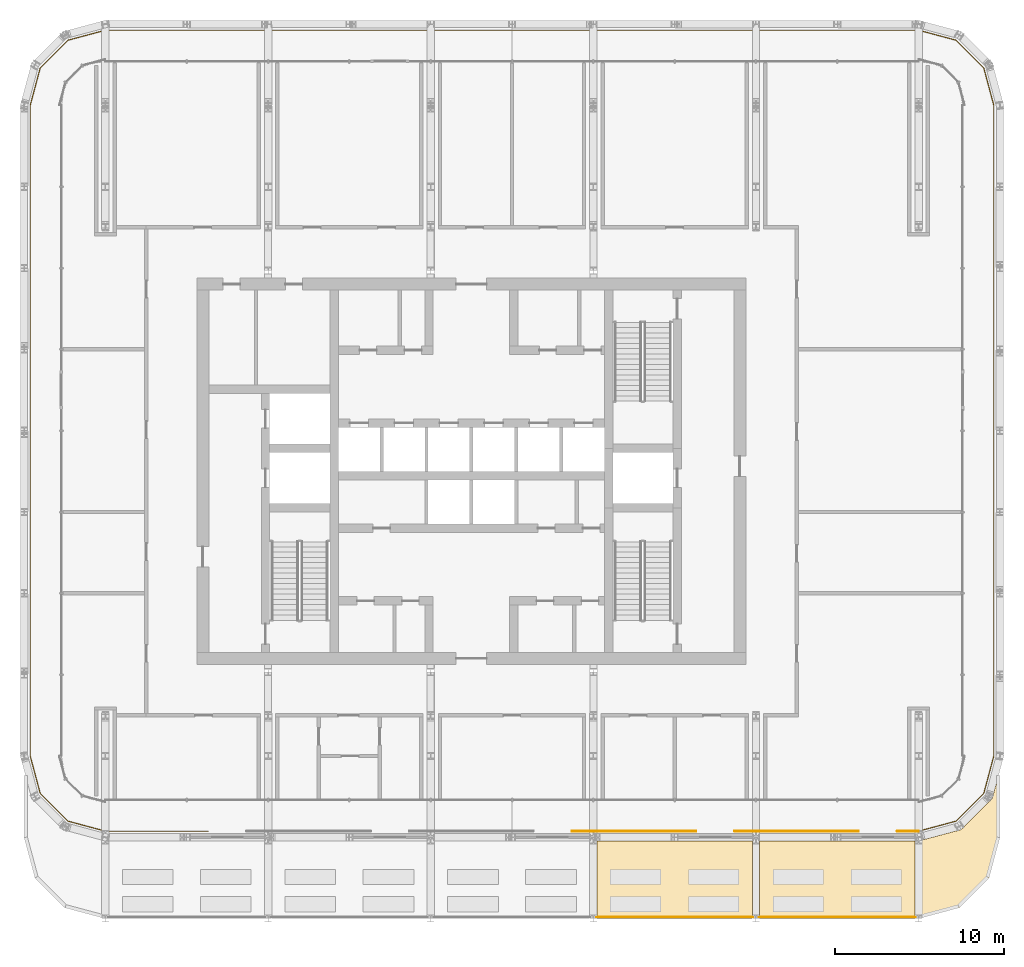
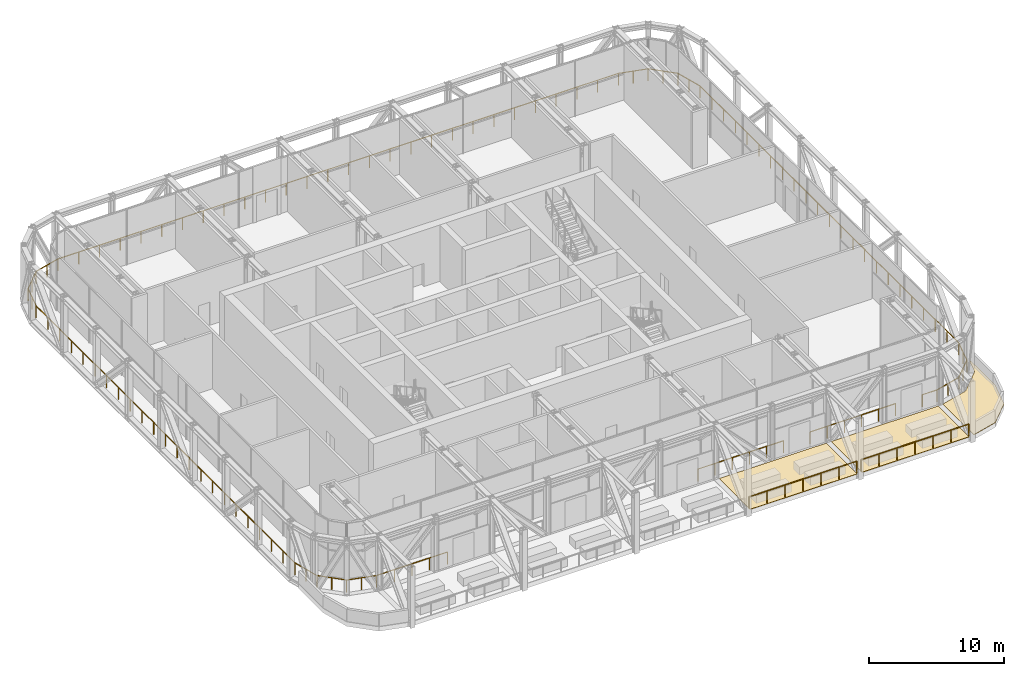
# One storey, part 20 of 22: 6 railings, 3 coverings.
"""IFC4 building model written with IfcOpenShell, lengths in metres."""

from ifc_helpers import new_model, si_unit, direction, frame, origin, origin_2d, place, context, subcontext, project, spatial, polyline, circle, outline, extrude, material, layer, layer_set, type_object, element, save


model = new_model("IFC4")

# Units and contexts
model_context = context("Model", 3, precision=1e-05, world=origin(), true_north=direction((0.0, 1.0)))
body_context = subcontext(model_context, "Body", "Model", "MODEL_VIEW")
ifc_project = project(units=[si_unit("LENGTHUNIT", "METRE"), si_unit("AREAUNIT", "SQUARE_METRE"), si_unit("VOLUMEUNIT", "CUBIC_METRE"), si_unit("PLANEANGLEUNIT", "RADIAN"), si_unit("MASSUNIT", "GRAM", prefix="KILO")], contexts=[model_context])

# Site, building, storey
site_placement = place(None, origin())
site = spatial("IfcSite", under=ifc_project, at=site_placement, CompositionType="ELEMENT")
building_placement = place(site_placement, origin())
building = spatial("IfcBuilding", under=site, at=building_placement, Name="Madar Terraces", CompositionType="ELEMENT")
storey_placement = place(building_placement, frame((0.0, 0.0, 203.39990234375)))
storey = spatial("IfcBuildingStorey", under=building, at=storey_placement, Name="L53", CompositionType="ELEMENT", Elevation=203.39990234375)

# Railings
ifc_material_1 = material(Name="Glass, safety glazing, with stainless steel posts", Category="steel")
railing_type = type_object("IfcRailingType", Name="Balcony glass guard 1100", PredefinedType="GUARDRAIL", material=ifc_material_1)
railing_1_placement = place(storey_placement, frame((57.60009765625, 5.160888671875, 0.0)))
element("IfcRailing", 1, at=railing_1_placement, inside=storey, type_object=railing_type, Name="Gallery guard", PredefinedType="GUARDRAIL", context=body_context, shape_type="SweptSolid", body=[
    extrude(circle(Radius=0.02392578125, at=origin_2d()), frame((0.0, 0.0, 1.076171875), z_axis=(0.965923863505, 0.258826370201, 0.0), x_axis=(-0.258826370201, 0.965923863505, 0.0)), (0.0, 0.0, 1.0), 2.2978515625),
    extrude(circle(Radius=0.02392578125, at=origin_2d()), frame((2.219482421875, 0.5947265625, 1.076171875), z_axis=(0.707106781187, 0.707106781187, 0.0), x_axis=(-0.707106781187, 0.707106781187, 0.0)), (0.0, 0.0, 1.0), 2.2978515625),
    extrude(circle(Radius=0.02392578125, at=origin_2d()), frame((3.84423828125, 2.219482421875, 1.076171875), z_axis=(0.258898929411, 0.965904417812, 0.0), x_axis=(-0.965904417812, 0.258898929411, 0.0)), (0.0, 0.0, 1.0), 2.298095703125),
    extrude(circle(Radius=0.02392578125, at=origin_2d()), frame((4.439208984375, 4.439208984375, 1.076171875), z_axis=(0.0, 1.0, 0.0), x_axis=(-1.0, 0.0, 0.0)), (0.0, 0.0, 1.0), 38.39990234375),
    extrude(circle(Radius=0.02392578125, at=origin_2d()), frame((4.439208984375, 42.839111328125, 1.076171875), z_axis=(-0.258925498833, 0.965897295811, 0.0), x_axis=(-0.965897295811, -0.258925498833, 0.0)), (0.0, 0.0, 1.0), 2.2978515625),
    extrude(circle(Radius=0.02392578125, at=origin_2d()), frame((3.84423828125, 45.05859375, 1.076171875), z_axis=(-0.707053657203, 0.707159901179, 0.0), x_axis=(-0.707159901179, -0.707053657203, 0.0)), (0.0, 0.0, 1.0), 2.2978515625),
    extrude(circle(Radius=0.02392578125, at=origin_2d()), frame((2.219482421875, 46.68359375, 1.076171875), z_axis=(-0.965923863505, 0.258826370201, 0.0), x_axis=(-0.258826370201, -0.965923863505, 0.0)), (0.0, 0.0, 1.0), 2.2978515625),
    extrude(circle(Radius=0.02392578125, at=origin_2d()), frame((0.0, 47.2783203125, 1.076171875), z_axis=(-1.0, 0.0, 0.0), x_axis=(0.0, -1.0, 0.0)), (0.0, 0.0, 1.0), 48.0),
    extrude(circle(Radius=0.02392578125, at=origin_2d()), frame((-48.0, 47.2783203125, 1.076171875), z_axis=(-0.96593098025, -0.258799809491, 0.0), x_axis=(0.258799809491, -0.96593098025, 0.0)), (0.0, 0.0, 1.0), 2.298095703125),
    extrude(circle(Radius=0.02392578125, at=origin_2d()), frame((-50.2197265625, 46.68359375, 1.076171875), z_axis=(-0.707053657203, -0.707159901179, 0.0), x_axis=(0.707159901179, -0.707053657203, 0.0)), (0.0, 0.0, 1.0), 2.2978515625),
    extrude(circle(Radius=0.02392578125, at=origin_2d()), frame((-51.844482421875, 45.05859375, 1.076171875), z_axis=(-0.258826370201, -0.965923863505, 0.0), x_axis=(0.965923863505, -0.258826370201, 0.0)), (0.0, 0.0, 1.0), 2.2978515625),
    extrude(circle(Radius=0.02392578125, at=origin_2d()), frame((-52.439208984375, 42.839111328125, 1.076171875), z_axis=(0.0, -1.0, 0.0), x_axis=(1.0, 0.0, 0.0)), (0.0, 0.0, 1.0), 38.39990234375),
    extrude(circle(Radius=0.02392578125, at=origin_2d()), frame((-52.439208984375, 4.439208984375, 1.076171875), z_axis=(0.258799809491, -0.96593098025, 0.0), x_axis=(0.96593098025, 0.258799809491, 0.0)), (0.0, 0.0, 1.0), 2.298095703125),
    extrude(circle(Radius=0.02392578125, at=origin_2d()), frame((-51.844482421875, 2.219482421875, 1.076171875), z_axis=(0.707106781187, -0.707106781187, 0.0), x_axis=(0.707106781187, 0.707106781187, 0.0)), (0.0, 0.0, 1.0), 2.2978515625),
    extrude(circle(Radius=0.02392578125, at=origin_2d()), frame((-50.2197265625, 0.5947265625, 1.076171875), z_axis=(0.96593098025, -0.258799809491, 0.0), x_axis=(0.258799809491, 0.96593098025, 0.0)), (0.0, 0.0, 1.0), 2.298095703125),
    extrude(circle(Radius=0.02392578125, at=origin_2d()), frame((-48.0, 0.0, 1.076171875), z_axis=(1.0, 0.0, 0.0), x_axis=(0.0, 1.0, 0.0)), (0.0, 0.0, 1.0), 6.055908203125),
    extrude(circle(Radius=0.02099609375, at=origin_2d()), origin(), (0.0, 0.0, 1.0), 1.052001953125),
    extrude(circle(Radius=0.02099609375, at=origin_2d()), frame((1.10986328125, 0.29736328125, 0.0)), (0.0, 0.0, 1.0), 1.052001953125),
    extrude(circle(Radius=0.02099609375, at=origin_2d()), frame((2.219482421875, 0.5947265625, 0.0)), (0.0, 0.0, 1.0), 1.052001953125),
    extrude(circle(Radius=0.02099609375, at=origin_2d()), frame((3.03173828125, 1.4072265625, 0.0)), (0.0, 0.0, 1.0), 1.052001953125),
    extrude(circle(Radius=0.02099609375, at=origin_2d()), frame((3.84423828125, 2.219482421875, 0.0)), (0.0, 0.0, 1.0), 1.052001953125),
    extrude(circle(Radius=0.02099609375, at=origin_2d()), frame((4.1416015625, 3.329345703125, 0.0)), (0.0, 0.0, 1.0), 1.052001953125),
    extrude(circle(Radius=0.02099609375, at=origin_2d()), frame((4.439208984375, 4.439208984375, 0.0)), (0.0, 0.0, 1.0), 1.052001953125),
    extrude(circle(Radius=0.02099609375, at=origin_2d()), frame((4.439208984375, 6.1845703125, 0.0)), (0.0, 0.0, 1.0), 1.052001953125),
    extrude(circle(Radius=0.02099609375, at=origin_2d()), frame((4.439208984375, 7.93017578125, 0.0)), (0.0, 0.0, 1.0), 1.052001953125),
    extrude(circle(Radius=0.02099609375, at=origin_2d()), frame((4.439208984375, 9.675537109375, 0.0)), (0.0, 0.0, 1.0), 1.052001953125),
    extrude(circle(Radius=0.02099609375, at=origin_2d()), frame((4.439208984375, 11.4208984375, 0.0)), (0.0, 0.0, 1.0), 1.052001953125),
    extrude(circle(Radius=0.02099609375, at=origin_2d()), frame((4.439208984375, 13.16650390625, 0.0)), (0.0, 0.0, 1.0), 1.052001953125),
    extrude(circle(Radius=0.02099609375, at=origin_2d()), frame((4.439208984375, 14.911865234375, 0.0)), (0.0, 0.0, 1.0), 1.052001953125),
    extrude(circle(Radius=0.02099609375, at=origin_2d()), frame((4.439208984375, 16.657470703125, 0.0)), (0.0, 0.0, 1.0), 1.052001953125),
    extrude(circle(Radius=0.02099609375, at=origin_2d()), frame((4.439208984375, 18.40283203125, 0.0)), (0.0, 0.0, 1.0), 1.052001953125),
    extrude(circle(Radius=0.02099609375, at=origin_2d()), frame((4.439208984375, 20.148193359375, 0.0)), (0.0, 0.0, 1.0), 1.052001953125),
    extrude(circle(Radius=0.02099609375, at=origin_2d()), frame((4.439208984375, 21.893798828125, 0.0)), (0.0, 0.0, 1.0), 1.052001953125),
    extrude(circle(Radius=0.02099609375, at=origin_2d()), frame((4.439208984375, 23.63916015625, 0.0)), (0.0, 0.0, 1.0), 1.052001953125),
    extrude(circle(Radius=0.02099609375, at=origin_2d()), frame((4.439208984375, 25.384521484375, 0.0)), (0.0, 0.0, 1.0), 1.052001953125),
    extrude(circle(Radius=0.02099609375, at=origin_2d()), frame((4.439208984375, 27.130126953125, 0.0)), (0.0, 0.0, 1.0), 1.052001953125),
    extrude(circle(Radius=0.02099609375, at=origin_2d()), frame((4.439208984375, 28.87548828125, 0.0)), (0.0, 0.0, 1.0), 1.052001953125),
    extrude(circle(Radius=0.02099609375, at=origin_2d()), frame((4.439208984375, 30.620849609375, 0.0)), (0.0, 0.0, 1.0), 1.052001953125),
    extrude(circle(Radius=0.02099609375, at=origin_2d()), frame((4.439208984375, 32.366455078125, 0.0)), (0.0, 0.0, 1.0), 1.052001953125),
    extrude(circle(Radius=0.02099609375, at=origin_2d()), frame((4.439208984375, 34.11181640625, 0.0)), (0.0, 0.0, 1.0), 1.052001953125),
    extrude(circle(Radius=0.02099609375, at=origin_2d()), frame((4.439208984375, 35.857421875, 0.0)), (0.0, 0.0, 1.0), 1.052001953125),
    extrude(circle(Radius=0.02099609375, at=origin_2d()), frame((4.439208984375, 37.602783203125, 0.0)), (0.0, 0.0, 1.0), 1.052001953125),
    extrude(circle(Radius=0.02099609375, at=origin_2d()), frame((4.439208984375, 39.34814453125, 0.0)), (0.0, 0.0, 1.0), 1.052001953125),
    extrude(circle(Radius=0.02099609375, at=origin_2d()), frame((4.439208984375, 41.09375, 0.0)), (0.0, 0.0, 1.0), 1.052001953125),
    extrude(circle(Radius=0.02099609375, at=origin_2d()), frame((4.439208984375, 42.839111328125, 0.0)), (0.0, 0.0, 1.0), 1.052001953125),
    extrude(circle(Radius=0.02099609375, at=origin_2d()), frame((4.1416015625, 43.94873046875, 0.0)), (0.0, 0.0, 1.0), 1.052001953125),
    extrude(circle(Radius=0.02099609375, at=origin_2d()), frame((3.84423828125, 45.05859375, 0.0)), (0.0, 0.0, 1.0), 1.052001953125),
    extrude(circle(Radius=0.02099609375, at=origin_2d()), frame((3.03173828125, 45.87109375, 0.0)), (0.0, 0.0, 1.0), 1.052001953125),
    extrude(circle(Radius=0.02099609375, at=origin_2d()), frame((2.219482421875, 46.68359375, 0.0)), (0.0, 0.0, 1.0), 1.052001953125),
    extrude(circle(Radius=0.02099609375, at=origin_2d()), frame((1.10986328125, 46.98095703125, 0.0)), (0.0, 0.0, 1.0), 1.052001953125),
    extrude(circle(Radius=0.02099609375, at=origin_2d()), frame((0.0, 47.2783203125, 0.0)), (0.0, 0.0, 1.0), 1.052001953125),
    extrude(circle(Radius=0.02099609375, at=origin_2d()), frame((-1.77783203125, 47.2783203125, 0.0)), (0.0, 0.0, 1.0), 1.052001953125),
    extrude(circle(Radius=0.02099609375, at=origin_2d()), frame((-3.5556640625, 47.2783203125, 0.0)), (0.0, 0.0, 1.0), 1.052001953125),
    extrude(circle(Radius=0.02099609375, at=origin_2d()), frame((-5.333251953125, 47.2783203125, 0.0)), (0.0, 0.0, 1.0), 1.052001953125),
    extrude(circle(Radius=0.02099609375, at=origin_2d()), frame((-7.111083984375, 47.2783203125, 0.0)), (0.0, 0.0, 1.0), 1.052001953125),
    extrude(circle(Radius=0.02099609375, at=origin_2d()), frame((-8.888916015625, 47.2783203125, 0.0)), (0.0, 0.0, 1.0), 1.052001953125),
    extrude(circle(Radius=0.02099609375, at=origin_2d()), frame((-10.666748046875, 47.2783203125, 0.0)), (0.0, 0.0, 1.0), 1.052001953125),
    extrude(circle(Radius=0.02099609375, at=origin_2d()), frame((-12.4443359375, 47.2783203125, 0.0)), (0.0, 0.0, 1.0), 1.052001953125),
    extrude(circle(Radius=0.02099609375, at=origin_2d()), frame((-14.22216796875, 47.2783203125, 0.0)), (0.0, 0.0, 1.0), 1.052001953125),
    extrude(circle(Radius=0.02099609375, at=origin_2d()), frame((-16.0, 47.2783203125, 0.0)), (0.0, 0.0, 1.0), 1.052001953125),
    extrude(circle(Radius=0.02099609375, at=origin_2d()), frame((-17.77783203125, 47.2783203125, 0.0)), (0.0, 0.0, 1.0), 1.052001953125),
    extrude(circle(Radius=0.02099609375, at=origin_2d()), frame((-19.5556640625, 47.2783203125, 0.0)), (0.0, 0.0, 1.0), 1.052001953125),
    extrude(circle(Radius=0.02099609375, at=origin_2d()), frame((-21.333251953125, 47.2783203125, 0.0)), (0.0, 0.0, 1.0), 1.052001953125),
    extrude(circle(Radius=0.02099609375, at=origin_2d()), frame((-23.111083984375, 47.2783203125, 0.0)), (0.0, 0.0, 1.0), 1.052001953125),
    extrude(circle(Radius=0.02099609375, at=origin_2d()), frame((-24.888916015625, 47.2783203125, 0.0)), (0.0, 0.0, 1.0), 1.052001953125),
    extrude(circle(Radius=0.02099609375, at=origin_2d()), frame((-26.666748046875, 47.2783203125, 0.0)), (0.0, 0.0, 1.0), 1.052001953125),
    extrude(circle(Radius=0.02099609375, at=origin_2d()), frame((-28.4443359375, 47.2783203125, 0.0)), (0.0, 0.0, 1.0), 1.052001953125),
    extrude(circle(Radius=0.02099609375, at=origin_2d()), frame((-30.22216796875, 47.2783203125, 0.0)), (0.0, 0.0, 1.0), 1.052001953125),
    extrude(circle(Radius=0.02099609375, at=origin_2d()), frame((-32.0, 47.2783203125, 0.0)), (0.0, 0.0, 1.0), 1.052001953125),
    extrude(circle(Radius=0.02099609375, at=origin_2d()), frame((-33.77783203125, 47.2783203125, 0.0)), (0.0, 0.0, 1.0), 1.052001953125),
    extrude(circle(Radius=0.02099609375, at=origin_2d()), frame((-35.5556640625, 47.2783203125, 0.0)), (0.0, 0.0, 1.0), 1.052001953125),
    extrude(circle(Radius=0.02099609375, at=origin_2d()), frame((-37.333251953125, 47.2783203125, 0.0)), (0.0, 0.0, 1.0), 1.052001953125),
    extrude(circle(Radius=0.02099609375, at=origin_2d()), frame((-39.111083984375, 47.2783203125, 0.0)), (0.0, 0.0, 1.0), 1.052001953125),
    extrude(circle(Radius=0.02099609375, at=origin_2d()), frame((-40.888916015625, 47.2783203125, 0.0)), (0.0, 0.0, 1.0), 1.052001953125),
    extrude(circle(Radius=0.02099609375, at=origin_2d()), frame((-42.666748046875, 47.2783203125, 0.0)), (0.0, 0.0, 1.0), 1.052001953125),
    extrude(circle(Radius=0.02099609375, at=origin_2d()), frame((-44.4443359375, 47.2783203125, 0.0)), (0.0, 0.0, 1.0), 1.052001953125),
    extrude(circle(Radius=0.02099609375, at=origin_2d()), frame((-46.22216796875, 47.2783203125, 0.0)), (0.0, 0.0, 1.0), 1.052001953125),
    extrude(circle(Radius=0.02099609375, at=origin_2d()), frame((-48.0, 47.2783203125, 0.0)), (0.0, 0.0, 1.0), 1.052001953125),
    extrude(circle(Radius=0.02099609375, at=origin_2d()), frame((-49.10986328125, 46.98095703125, 0.0)), (0.0, 0.0, 1.0), 1.052001953125),
    extrude(circle(Radius=0.02099609375, at=origin_2d()), frame((-50.2197265625, 46.68359375, 0.0)), (0.0, 0.0, 1.0), 1.052001953125),
    extrude(circle(Radius=0.02099609375, at=origin_2d()), frame((-51.0322265625, 45.87109375, 0.0)), (0.0, 0.0, 1.0), 1.052001953125),
    extrude(circle(Radius=0.02099609375, at=origin_2d()), frame((-51.844482421875, 45.05859375, 0.0)), (0.0, 0.0, 1.0), 1.052001953125),
    extrude(circle(Radius=0.02099609375, at=origin_2d()), frame((-52.141845703125, 43.94873046875, 0.0)), (0.0, 0.0, 1.0), 1.052001953125),
    extrude(circle(Radius=0.02099609375, at=origin_2d()), frame((-52.439208984375, 42.839111328125, 0.0)), (0.0, 0.0, 1.0), 1.052001953125),
    extrude(circle(Radius=0.02099609375, at=origin_2d()), frame((-52.439208984375, 41.09375, 0.0)), (0.0, 0.0, 1.0), 1.052001953125),
    extrude(circle(Radius=0.02099609375, at=origin_2d()), frame((-52.439208984375, 39.34814453125, 0.0)), (0.0, 0.0, 1.0), 1.052001953125),
    extrude(circle(Radius=0.02099609375, at=origin_2d()), frame((-52.439208984375, 37.602783203125, 0.0)), (0.0, 0.0, 1.0), 1.052001953125),
    extrude(circle(Radius=0.02099609375, at=origin_2d()), frame((-52.439208984375, 35.857421875, 0.0)), (0.0, 0.0, 1.0), 1.052001953125),
    extrude(circle(Radius=0.02099609375, at=origin_2d()), frame((-52.439208984375, 34.11181640625, 0.0)), (0.0, 0.0, 1.0), 1.052001953125),
    extrude(circle(Radius=0.02099609375, at=origin_2d()), frame((-52.439208984375, 32.366455078125, 0.0)), (0.0, 0.0, 1.0), 1.052001953125),
    extrude(circle(Radius=0.02099609375, at=origin_2d()), frame((-52.439208984375, 30.620849609375, 0.0)), (0.0, 0.0, 1.0), 1.052001953125),
    extrude(circle(Radius=0.02099609375, at=origin_2d()), frame((-52.439208984375, 28.87548828125, 0.0)), (0.0, 0.0, 1.0), 1.052001953125),
    extrude(circle(Radius=0.02099609375, at=origin_2d()), frame((-52.439208984375, 27.130126953125, 0.0)), (0.0, 0.0, 1.0), 1.052001953125),
    extrude(circle(Radius=0.02099609375, at=origin_2d()), frame((-52.439208984375, 25.384521484375, 0.0)), (0.0, 0.0, 1.0), 1.052001953125),
    extrude(circle(Radius=0.02099609375, at=origin_2d()), frame((-52.439208984375, 23.63916015625, 0.0)), (0.0, 0.0, 1.0), 1.052001953125),
    extrude(circle(Radius=0.02099609375, at=origin_2d()), frame((-52.439208984375, 21.893798828125, 0.0)), (0.0, 0.0, 1.0), 1.052001953125),
    extrude(circle(Radius=0.02099609375, at=origin_2d()), frame((-52.439208984375, 20.148193359375, 0.0)), (0.0, 0.0, 1.0), 1.052001953125),
    extrude(circle(Radius=0.02099609375, at=origin_2d()), frame((-52.439208984375, 18.40283203125, 0.0)), (0.0, 0.0, 1.0), 1.052001953125),
    extrude(circle(Radius=0.02099609375, at=origin_2d()), frame((-52.439208984375, 16.657470703125, 0.0)), (0.0, 0.0, 1.0), 1.052001953125),
    extrude(circle(Radius=0.02099609375, at=origin_2d()), frame((-52.439208984375, 14.911865234375, 0.0)), (0.0, 0.0, 1.0), 1.052001953125),
    extrude(circle(Radius=0.02099609375, at=origin_2d()), frame((-52.439208984375, 13.16650390625, 0.0)), (0.0, 0.0, 1.0), 1.052001953125),
    extrude(circle(Radius=0.02099609375, at=origin_2d()), frame((-52.439208984375, 11.4208984375, 0.0)), (0.0, 0.0, 1.0), 1.052001953125),
    extrude(circle(Radius=0.02099609375, at=origin_2d()), frame((-52.439208984375, 9.675537109375, 0.0)), (0.0, 0.0, 1.0), 1.052001953125),
    extrude(circle(Radius=0.02099609375, at=origin_2d()), frame((-52.439208984375, 7.93017578125, 0.0)), (0.0, 0.0, 1.0), 1.052001953125),
    extrude(circle(Radius=0.02099609375, at=origin_2d()), frame((-52.439208984375, 6.1845703125, 0.0)), (0.0, 0.0, 1.0), 1.052001953125),
    extrude(circle(Radius=0.02099609375, at=origin_2d()), frame((-52.439208984375, 4.439208984375, 0.0)), (0.0, 0.0, 1.0), 1.052001953125),
    extrude(circle(Radius=0.02099609375, at=origin_2d()), frame((-52.141845703125, 3.329345703125, 0.0)), (0.0, 0.0, 1.0), 1.052001953125),
    extrude(circle(Radius=0.02099609375, at=origin_2d()), frame((-51.844482421875, 2.219482421875, 0.0)), (0.0, 0.0, 1.0), 1.052001953125),
    extrude(circle(Radius=0.02099609375, at=origin_2d()), frame((-51.0322265625, 1.4072265625, 0.0)), (0.0, 0.0, 1.0), 1.052001953125),
    extrude(circle(Radius=0.02099609375, at=origin_2d()), frame((-50.2197265625, 0.5947265625, 0.0)), (0.0, 0.0, 1.0), 1.052001953125),
    extrude(circle(Radius=0.02099609375, at=origin_2d()), frame((-49.10986328125, 0.29736328125, 0.0)), (0.0, 0.0, 1.0), 1.052001953125),
    extrude(circle(Radius=0.02099609375, at=origin_2d()), frame((-48.0, 0.0, 0.0)), (0.0, 0.0, 1.0), 1.052001953125),
    extrude(circle(Radius=0.02099609375, at=origin_2d()), frame((-46.486083984375, 0.0, 0.0)), (0.0, 0.0, 1.0), 1.052001953125),
    extrude(circle(Radius=0.02099609375, at=origin_2d()), frame((-44.97216796875, 0.0, 0.0)), (0.0, 0.0, 1.0), 1.052001953125),
    extrude(circle(Radius=0.02099609375, at=origin_2d()), frame((-43.4580078125, 0.0, 0.0)), (0.0, 0.0, 1.0), 1.052001953125),
    extrude(circle(Radius=0.02099609375, at=origin_2d()), frame((-41.944091796875, 0.0, 0.0)), (0.0, 0.0, 1.0), 1.052001953125),
])
for number, where, name in (
    (2, (37.143798828125, 5.160888671875, 0.0), "Gallery guard"),
    (3, (46.743896484375, 5.160888671875, 0.0), "Gallery guard"),
):
    element("IfcRailing", number, at=place(storey_placement, frame(where)), inside=storey, type_object=railing_type, Name=name, PredefinedType="GUARDRAIL", context=body_context, shape_type="SweptSolid", body=[
        extrude(circle(Radius=0.02392578125, at=origin_2d()), frame((0.0, 0.0, 1.076171875), z_axis=(1.0, 0.0, 0.0), x_axis=(0.0, 1.0, 0.0)), (0.0, 0.0, 1.0), 7.312255859375),
        extrude(circle(Radius=0.02099609375, at=origin_2d()), origin(), (0.0, 0.0, 1.0), 1.052001953125),
        extrude(circle(Radius=0.02099609375, at=origin_2d()), frame((1.46240234375, 0.0, 0.0)), (0.0, 0.0, 1.0), 1.052001953125),
        extrude(circle(Radius=0.02099609375, at=origin_2d()), frame((2.9248046875, 0.0, 0.0)), (0.0, 0.0, 1.0), 1.052001953125),
        extrude(circle(Radius=0.02099609375, at=origin_2d()), frame((4.387451171875, 0.0, 0.0)), (0.0, 0.0, 1.0), 1.052001953125),
        extrude(circle(Radius=0.02099609375, at=origin_2d()), frame((5.849853515625, 0.0, 0.0)), (0.0, 0.0, 1.0), 1.052001953125),
        extrude(circle(Radius=0.02099609375, at=origin_2d()), frame((7.312255859375, 0.0, 0.0)), (0.0, 0.0, 1.0), 1.052001953125),
    ])
railing_2_placement = place(storey_placement, frame((56.343994140625, 5.160888671875, 0.0)))
element("IfcRailing", 4, at=railing_2_placement, inside=storey, type_object=railing_type, Name="Gallery guard", PredefinedType="GUARDRAIL", context=body_context, shape_type="SweptSolid", body=[
    extrude(circle(Radius=0.02392578125, at=origin_2d()), frame((0.0, 0.0, 1.076171875), z_axis=(1.0, 0.0, 0.0), x_axis=(0.0, 1.0, 0.0)), (0.0, 0.0, 1.0), 1.256103515625),
    extrude(circle(Radius=0.02099609375, at=origin_2d()), origin(), (0.0, 0.0, 1.0), 1.052001953125),
    extrude(circle(Radius=0.02099609375, at=origin_2d()), frame((1.256103515625, 0.0, 0.0)), (0.0, 0.0, 1.0), 1.052001953125),
])
for number, where, name in (
    (5, (38.5908203125, 0.10009765625, 0.0400390625), "Terrace guard"),
    (6, (48.19091796875, 0.10009765625, 0.0400390625), "Terrace guard"),
):
    element("IfcRailing", number, at=place(storey_placement, frame(where)), inside=storey, type_object=railing_type, Name=name, PredefinedType="GUARDRAIL", context=body_context, shape_type="SweptSolid", body=[
        extrude(circle(Radius=0.02392578125, at=origin_2d()), frame((0.0, 0.0, 1.076171875), z_axis=(1.0, 0.0, 0.0), x_axis=(0.0, 1.0, 0.0)), (0.0, 0.0, 1.0), 9.21826171875),
        extrude(circle(Radius=0.02099609375, at=origin_2d()), origin(), (0.0, 0.0, 1.0), 1.052001953125),
        extrude(circle(Radius=0.02099609375, at=origin_2d()), frame((1.536376953125, 0.0, 0.0)), (0.0, 0.0, 1.0), 1.052001953125),
        extrude(circle(Radius=0.02099609375, at=origin_2d()), frame((3.07275390625, 0.0, 0.0)), (0.0, 0.0, 1.0), 1.052001953125),
        extrude(circle(Radius=0.02099609375, at=origin_2d()), frame((4.609130859375, 0.0, 0.0)), (0.0, 0.0, 1.0), 1.052001953125),
        extrude(circle(Radius=0.02099609375, at=origin_2d()), frame((6.1455078125, 0.0, 0.0)), (0.0, 0.0, 1.0), 1.052001953125),
        extrude(circle(Radius=0.02099609375, at=origin_2d()), frame((7.681884765625, 0.0, 0.0)), (0.0, 0.0, 1.0), 1.052001953125),
        extrude(circle(Radius=0.02099609375, at=origin_2d()), frame((9.21826171875, 0.0, 0.0)), (0.0, 0.0, 1.0), 1.052001953125),
    ])

# Coverings
ifc_material_2 = material(Name="Porcelain paving slabs on pedestals")
ifc_layer = layer(ifc_material_2, 0.0400390625)
ifc_layer_set = layer_set([ifc_layer], Name="Terrace paving 40")
covering_type = type_object("IfcCoveringType", Name="Terrace paving 40", PredefinedType="FLOORING", material=ifc_layer_set)
covering_1_placement = place(storey_placement, origin())
element("IfcCovering", 7, at=covering_1_placement, inside=storey, type_object=covering_type, Name="Terrace paving", PredefinedType="FLOORING", context=body_context, shape_type="SweptSolid", body=[
    extrude(outline(polyline([(38.646240234375, 0.002197265625), (38.6416015625, 0.00390625), (38.63720703125, 0.005859375), (38.633056640625, 0.00830078125), (38.629150390625, 0.01123046875), (38.62548828125, 0.0146484375), (38.622314453125, 0.018310546875), (38.619140625, 0.022216796875), (38.61669921875, 0.0263671875), (38.614501953125, 0.031005859375), (38.613037109375, 0.035400390625), (38.61181640625, 0.040283203125), (38.611083984375, 0.045166015625), (38.61083984375, 0.050048828125), (38.61083984375, 4.539306640625), (38.611083984375, 4.544189453125), (38.61181640625, 4.548828125), (38.613037109375, 4.5537109375), (38.614501953125, 4.558349609375), (38.61669921875, 4.562744140625), (38.619140625, 4.56689453125), (38.622314453125, 4.57080078125), (38.62548828125, 4.574462890625), (38.629150390625, 4.577880859375), (38.633056640625, 4.580810546875), (38.63720703125, 4.583251953125), (38.6416015625, 4.58544921875), (38.646240234375, 4.5869140625), (38.651123046875, 4.588134765625), (38.656005859375, 4.5888671875), (38.660888671875, 4.589111328125), (47.7392578125, 4.589111328125), (47.744140625, 4.5888671875), (47.748779296875, 4.588134765625), (47.753662109375, 4.5869140625), (47.75830078125, 4.58544921875), (47.7626953125, 4.583251953125), (47.76708984375, 4.580810546875), (47.77099609375, 4.577880859375), (47.7744140625, 4.574462890625), (47.77783203125, 4.57080078125), (47.78076171875, 4.56689453125), (47.783203125, 4.562744140625), (47.785400390625, 4.558349609375), (47.787109375, 4.5537109375), (47.7880859375, 4.548828125), (47.788818359375, 4.544189453125), (47.789306640625, 4.539306640625), (47.789306640625, 0.050048828125), (47.788818359375, 0.045166015625), (47.7880859375, 0.040283203125), (47.787109375, 0.035400390625), (47.785400390625, 0.031005859375), (47.783203125, 0.0263671875), (47.78076171875, 0.022216796875), (47.77783203125, 0.018310546875), (47.7744140625, 0.0146484375), (47.77099609375, 0.01123046875), (47.76708984375, 0.00830078125), (47.7626953125, 0.005859375), (47.75830078125, 0.00390625), (47.753662109375, 0.002197265625), (47.748779296875, 0.0009765625), (47.744140625, 0.000244140625), (47.7392578125, 0.0), (38.660888671875, 0.0), (38.656005859375, 0.000244140625), (38.651123046875, 0.0009765625), (38.646240234375, 0.002197265625)])), origin(), (0.0, 0.0, 1.0), 0.0400390625),
])
covering_2_placement = place(storey_placement, origin())
element("IfcCovering", 8, at=covering_2_placement, inside=storey, type_object=covering_type, Name="Terrace paving", PredefinedType="FLOORING", context=body_context, shape_type="SweptSolid", body=[
    extrude(outline(polyline([(48.246337890625, 0.002197265625), (48.24169921875, 0.00390625), (48.2373046875, 0.005859375), (48.23291015625, 0.00830078125), (48.22900390625, 0.01123046875), (48.2255859375, 0.0146484375), (48.22216796875, 0.018310546875), (48.21923828125, 0.022216796875), (48.216796875, 0.0263671875), (48.214599609375, 0.031005859375), (48.212890625, 0.035400390625), (48.2119140625, 0.040283203125), (48.211181640625, 0.045166015625), (48.210693359375, 0.050048828125), (48.210693359375, 4.539306640625), (48.211181640625, 4.544189453125), (48.2119140625, 4.548828125), (48.212890625, 4.5537109375), (48.214599609375, 4.558349609375), (48.216796875, 4.562744140625), (48.21923828125, 4.56689453125), (48.22216796875, 4.57080078125), (48.2255859375, 4.574462890625), (48.22900390625, 4.577880859375), (48.23291015625, 4.580810546875), (48.2373046875, 4.583251953125), (48.24169921875, 4.58544921875), (48.246337890625, 4.5869140625), (48.251220703125, 4.588134765625), (48.255859375, 4.5888671875), (48.2607421875, 4.589111328125), (57.339111328125, 4.589111328125), (57.343994140625, 4.5888671875), (57.348876953125, 4.588134765625), (57.353759765625, 4.5869140625), (57.3583984375, 4.58544921875), (57.36279296875, 4.583251953125), (57.366943359375, 4.580810546875), (57.370849609375, 4.577880859375), (57.37451171875, 4.574462890625), (57.377685546875, 4.57080078125), (57.380859375, 4.56689453125), (57.38330078125, 4.562744140625), (57.385498046875, 4.558349609375), (57.386962890625, 4.5537109375), (57.38818359375, 4.548828125), (57.388916015625, 4.544189453125), (57.38916015625, 4.539306640625), (57.38916015625, 0.050048828125), (57.388916015625, 0.045166015625), (57.38818359375, 0.040283203125), (57.386962890625, 0.035400390625), (57.385498046875, 0.031005859375), (57.38330078125, 0.0263671875), (57.380859375, 0.022216796875), (57.377685546875, 0.018310546875), (57.37451171875, 0.0146484375), (57.370849609375, 0.01123046875), (57.366943359375, 0.00830078125), (57.36279296875, 0.005859375), (57.3583984375, 0.00390625), (57.353759765625, 0.002197265625), (57.348876953125, 0.0009765625), (57.343994140625, 0.000244140625), (57.339111328125, 0.0), (48.2607421875, 0.0), (48.255859375, 0.000244140625), (48.251220703125, 0.0009765625), (48.246337890625, 0.002197265625)])), origin(), (0.0, 0.0, 1.0), 0.0400390625),
])
covering_3_placement = place(storey_placement, origin())
element("IfcCovering", 9, at=covering_3_placement, inside=storey, type_object=covering_type, Name="Terrace paving", PredefinedType="FLOORING", context=body_context, shape_type="SweptSolid", body=[
    extrude(outline(polyline([(61.94580078125, 7.0908203125), (61.9462890625, 7.092041015625), (62.3017578125, 8.418701171875), (62.30322265625, 8.42333984375), (62.30517578125, 8.427978515625), (62.3076171875, 8.43212890625), (62.310546875, 8.436279296875), (62.313720703125, 8.440185546875), (62.3173828125, 8.443603515625), (62.3212890625, 8.446533203125), (62.325439453125, 8.44921875), (62.329833984375, 8.451416015625), (62.33447265625, 8.453125), (62.33935546875, 8.45458984375), (62.343994140625, 8.455322265625), (62.34912109375, 8.455810546875), (62.35400390625, 8.45556640625), (62.35888671875, 8.454833984375), (62.36376953125, 8.45361328125), (62.368408203125, 8.4521484375), (62.373046875, 8.4501953125), (62.377197265625, 8.447509765625), (62.38134765625, 8.444580078125), (62.385009765625, 8.44140625), (62.388427734375, 8.437744140625), (62.391357421875, 8.43359375), (62.39404296875, 8.429443359375), (62.39599609375, 8.425048828125), (62.397705078125, 8.42041015625), (62.39892578125, 8.41552734375), (62.39990234375, 8.41064453125), (62.39990234375, 8.40576171875), (62.39990234375, 4.806640625), (62.39990234375, 4.80224609375), (62.399169921875, 4.7978515625), (62.398193359375, 4.793701171875), (61.760498046875, 2.412841796875), (61.7587890625, 2.407958984375), (61.756591796875, 2.4033203125), (61.75390625, 2.398681640625), (61.7509765625, 2.394287109375), (61.747314453125, 2.390380859375), (60.009521484375, 0.652587890625), (60.005615234375, 0.64892578125), (60.00146484375, 0.64599609375), (59.996826171875, 0.643310546875), (59.991943359375, 0.64111328125), (59.987060546875, 0.6396484375), (57.873779296875, 0.073486328125), (57.868896484375, 0.072265625), (57.8642578125, 0.07177734375), (57.859375, 0.07177734375), (57.8544921875, 0.072021484375), (57.849853515625, 0.072998046875), (57.84521484375, 0.07421875), (57.8408203125, 0.075927734375), (57.83642578125, 0.077880859375), (57.832275390625, 0.08056640625), (57.82861328125, 0.08349609375), (57.824951171875, 0.0869140625), (57.82177734375, 0.09033203125), (57.819091796875, 0.09423828125), (57.81640625, 0.098388671875), (57.814453125, 0.102783203125), (57.81298828125, 0.107421875), (57.811767578125, 0.112060546875), (57.81103515625, 0.11669921875), (57.810791015625, 0.12158203125), (57.810791015625, 4.599853515625), (57.81103515625, 4.60498046875), (57.811767578125, 4.60986328125), (57.81298828125, 4.61474609375), (57.814697265625, 4.619384765625), (57.81689453125, 4.6240234375), (57.819580078125, 4.62841796875), (57.82275390625, 4.63232421875), (57.826171875, 4.635986328125), (57.830078125, 4.63916015625), (57.833984375, 4.64208984375), (57.83837890625, 4.64453125), (57.843017578125, 4.646484375), (57.847900390625, 4.648193359375), (60.10791015625, 5.253662109375), (60.109130859375, 5.254150390625), (60.110107421875, 5.2548828125), (61.945068359375, 7.08984375), (61.94580078125, 7.0908203125)])), origin(), (0.0, 0.0, 1.0), 0.0400390625),
])

save(model, "model.ifc")
